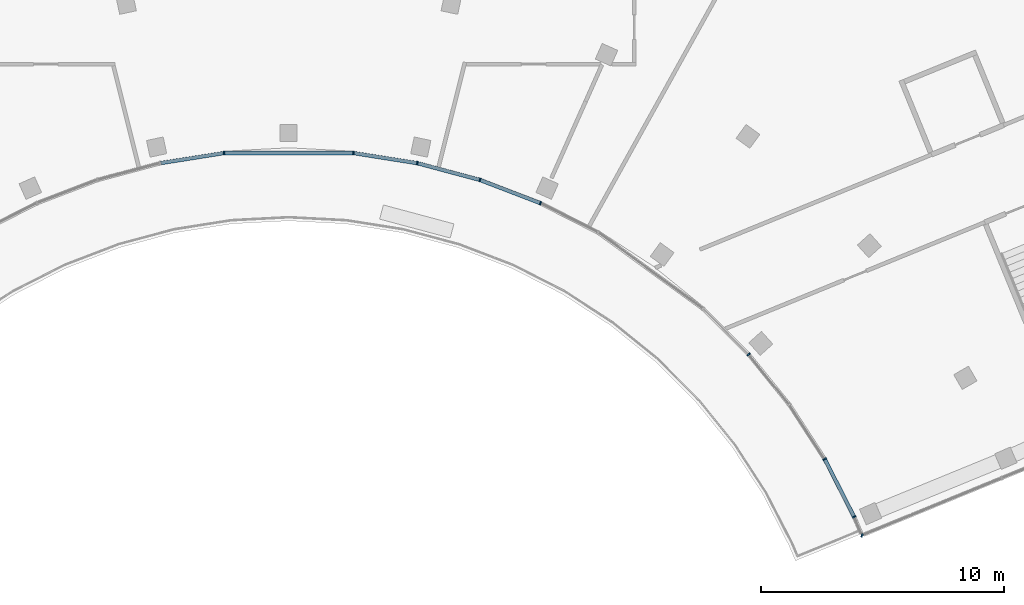
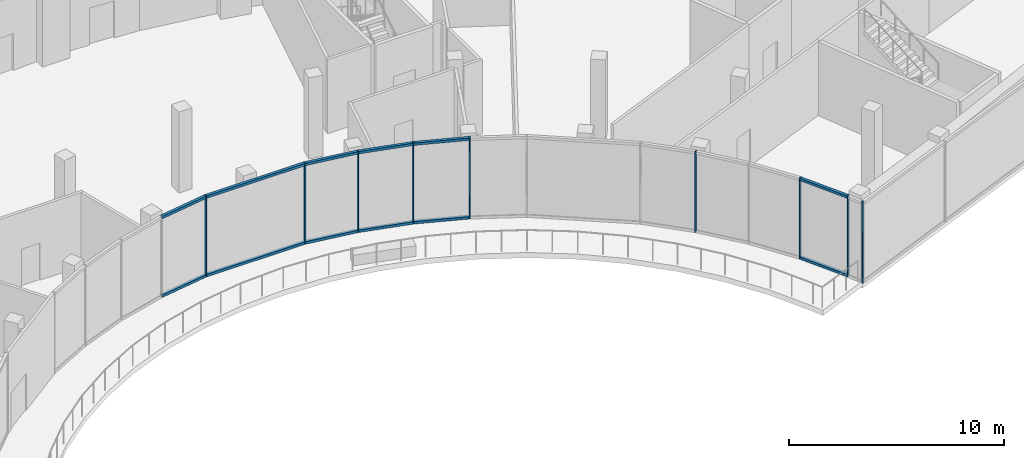
# One storey, part 8 of 39: 21 members, 2 elements without a shape of their own.
"""IFC4 building model written with IfcOpenShell, lengths in metres."""

from ifc_helpers import new_model, si_unit, direction, frame, origin, origin_2d, place, context, subcontext, project, spatial, rectangle, extrude, material, layer, layer_set, material_profile, profile_set, type_object, element, aggregate, save


model = new_model("IFC4")

# Units and contexts
model_context = context("Model", 3, precision=1e-05, world=origin(), true_north=direction((0.0, 1.0)))
body_context = subcontext(model_context, "Body", "Model", "MODEL_VIEW")
ifc_project = project(units=[si_unit("LENGTHUNIT", "METRE"), si_unit("AREAUNIT", "SQUARE_METRE"), si_unit("VOLUMEUNIT", "CUBIC_METRE"), si_unit("PLANEANGLEUNIT", "RADIAN"), si_unit("MASSUNIT", "GRAM", prefix="KILO")], contexts=[model_context])

# Site, building, storey
site_placement = place(None, origin())
site = spatial("IfcSite", under=ifc_project, at=site_placement, CompositionType="ELEMENT")
building_placement = place(site_placement, origin())
building = spatial("IfcBuilding", under=site, at=building_placement, Name="Stone Belt Terrace Tower", CompositionType="ELEMENT")
storey_placement = place(building_placement, frame((0.0, 0.0, 16.199951171875)))
storey = spatial("IfcBuildingStorey", under=building, at=storey_placement, Name="L03", CompositionType="ELEMENT", Elevation=16.199951171875)

# Curtain wall, members
ifc_material = material(Name="Aluminium 6063-T6 anodised frame", Category="aluminium")
ifc_layer = layer(ifc_material, 0.14990234375)
ifc_layer_set = layer_set([ifc_layer], Name="CW-D podium shopfront")
curtain_wall_type = type_object("IfcCurtainWallType", Name="CW-D podium shopfront", PredefinedType="NOTDEFINED", material=ifc_layer_set)
curtain_wall_1_placement = place(storey_placement, origin())
curtain_wall_1 = element("IfcCurtainWall", 1, at=curtain_wall_1_placement, inside=storey, type_object=curtain_wall_type, Name="CW-D concave face L03", PredefinedType="NOTDEFINED")
ifc_material_profile_1 = material_profile(ifc_material, rectangle(XDim=0.14990234375, YDim=0.06005859375, at=origin_2d()), Name="Aluminium 6063-T6 60x150")
ifc_profile_set_1 = profile_set([ifc_material_profile_1], Name="Aluminium 6063-T6 anodised frame")
member_type_1 = type_object("IfcMemberType", Name="CW-D mullion 60 x 150", PredefinedType="MULLION", material=ifc_profile_set_1)
member_1_placement = place(storey_placement, frame((-2.65966796875, 25.285400390625, 0.0), z_axis=(0.0, 0.0, 1.0), x_axis=(-0.078459095728, 0.996917333733, 0.0)))
member_1 = element("IfcMember", 2, at=member_1_placement, type_object=member_type_1, Name="CW-D mullion 11", PredefinedType="MULLION", context=body_context, shape_type="SweptSolid", body=[
    extrude(rectangle(XDim=0.14990234375, YDim=0.06005859375, at=origin_2d()), origin(), (0.0, 0.0, 1.0), 4.60009765625),
])
member_2_placement = place(storey_placement, frame((2.65966796875, 25.285400390625, 0.0), z_axis=(0.0, 0.0, 1.0), x_axis=(0.078459095728, 0.996917333733, 0.0)))
member_2 = element("IfcMember", 3, at=member_2_placement, type_object=member_type_1, Name="CW-D mullion 12", PredefinedType="MULLION", context=body_context, shape_type="SweptSolid", body=[
    extrude(rectangle(XDim=0.14990234375, YDim=0.06005859375, at=origin_2d()), origin(), (0.0, 0.0, 1.0), 4.60009765625),
])
member_3_placement = place(storey_placement, frame((5.2861328125, 24.869384765625, 0.0), z_axis=(0.0, 0.0, 1.0), x_axis=(0.207911690818, 0.978147600734, 0.0)))
member_3 = element("IfcMember", 4, at=member_3_placement, type_object=member_type_1, Name="CW-D mullion 13", PredefinedType="MULLION", context=body_context, shape_type="SweptSolid", body=[
    extrude(rectangle(XDim=0.14990234375, YDim=0.06005859375, at=origin_2d()), origin(), (0.0, 0.0, 1.0), 4.60009765625),
])
member_4_placement = place(storey_placement, frame((7.856689453125, 24.180419921875, 0.0), z_axis=(0.0, 0.0, 1.0), x_axis=(0.309016994375, 0.951056516295, 0.0)))
member_4 = element("IfcMember", 5, at=member_4_placement, type_object=member_type_1, Name="CW-D mullion 14", PredefinedType="MULLION", context=body_context, shape_type="SweptSolid", body=[
    extrude(rectangle(XDim=0.14990234375, YDim=0.06005859375, at=origin_2d()), origin(), (0.0, 0.0, 1.0), 4.60009765625),
])
member_5_placement = place(storey_placement, frame((10.34130859375, 23.226806640625, 0.0), z_axis=(0.0, 0.0, 1.0), x_axis=(0.406736643076, 0.913545457643, 0.0)))
member_5 = element("IfcMember", 6, at=member_5_placement, type_object=member_type_1, Name="CW-D mullion 15", PredefinedType="MULLION", context=body_context, shape_type="SweptSolid", body=[
    extrude(rectangle(XDim=0.14990234375, YDim=0.06005859375, at=origin_2d()), origin(), (0.0, 0.0, 1.0), 4.60009765625),
])
member_6_placement = place(storey_placement, frame((18.894287109375, 17.0126953125, 0.0), z_axis=(0.0, 0.0, 1.0), x_axis=(0.743144825477, 0.669130606359, 0.0)))
member_6 = element("IfcMember", 7, at=member_6_placement, type_object=member_type_1, Name="CW-D mullion 18", PredefinedType="MULLION", context=body_context, shape_type="SweptSolid", body=[
    extrude(rectangle(XDim=0.14990234375, YDim=0.06005859375, at=origin_2d()), origin(), (0.0, 0.0, 1.0), 4.60009765625),
])
member_7_placement = place(storey_placement, frame((22.0185546875, 12.71240234375, 0.0), z_axis=(0.0, 0.0, 1.0), x_axis=(0.866025403784, 0.5, 0.0)))
member_7 = element("IfcMember", 8, at=member_7_placement, type_object=member_type_1, Name="CW-D mullion 20", PredefinedType="MULLION", context=body_context, shape_type="SweptSolid", body=[
    extrude(rectangle(XDim=0.14990234375, YDim=0.06005859375, at=origin_2d()), origin(), (0.0, 0.0, 1.0), 4.60009765625),
])
member_8_placement = place(storey_placement, frame((23.2275390625, 10.340087890625, 0.0), z_axis=(0.0, 0.0, 1.0), x_axis=(0.905778201442, 0.423752108895, 0.0)))
member_8 = element("IfcMember", 9, at=member_8_placement, type_object=member_type_1, Name="CW-D mullion 21", PredefinedType="MULLION", context=body_context, shape_type="SweptSolid", body=[
    extrude(rectangle(XDim=0.14990234375, YDim=0.06005859375, at=origin_2d()), origin(), (0.0, 0.0, 1.0), 4.60009765625),
])

# Curtain wall, member
curtain_wall_2_placement = place(storey_placement, origin())
curtain_wall_2 = element("IfcCurtainWall", 10, at=curtain_wall_2_placement, inside=storey, type_object=curtain_wall_type, Name="CW-D end face L03", PredefinedType="NOTDEFINED")
member_9_placement = place(storey_placement, frame((23.55517578125, 9.5732421875, 0.0), z_axis=(0.0, 0.0, 1.0), x_axis=(0.379212239192, 0.925309719849, 0.0)))
member_9 = element("IfcMember", 11, at=member_9_placement, type_object=member_type_1, Name="CW-D mullion 1", PredefinedType="MULLION", context=body_context, shape_type="SweptSolid", body=[
    extrude(rectangle(XDim=0.14990234375, YDim=0.06005859375, at=origin_2d()), origin(), (0.0, 0.0, 1.0), 4.60009765625),
])
aggregate(curtain_wall_2, [member_9])

# Member
ifc_material_profile_2 = material_profile(ifc_material, rectangle(XDim=0.14990234375, YDim=0.139892578125, at=origin_2d()), Name="Aluminium 6063-T6 150x140")
ifc_profile_set_2 = profile_set([ifc_material_profile_2], Name="Aluminium 6063-T6 anodised frame")
member_type_2 = type_object("IfcMemberType", Name="CW-D transom 140 x 150", PredefinedType="USERDEFINED", material=ifc_profile_set_2)
member_10_placement = place(storey_placement, frame((-5.252685546875, 24.87451171875, 0.070068359375), z_axis=(0.98767950902, 0.156490215231, 0.0), x_axis=(-0.156490215231, 0.98767950902, 0.0)))
member_10 = element("IfcMember", 12, at=member_10_placement, type_object=member_type_2, Name="CW-D transom 10.1", ObjectType="TRANSOM", PredefinedType="USERDEFINED", context=body_context, shape_type="SweptSolid", body=[
    extrude(rectangle(XDim=0.14990234375, YDim=0.139892578125, at=origin_2d()), origin(), (0.0, 0.0, 1.0), 2.58984375),
])

member_11_placement = place(storey_placement, frame((-5.252685546875, 24.87451171875, 4.530029296875), z_axis=(0.98767950902, 0.156490215231, 0.0), x_axis=(-0.156490215231, 0.98767950902, 0.0)))
member_11 = element("IfcMember", 13, at=member_11_placement, type_object=member_type_2, Name="CW-D transom 10.2", ObjectType="TRANSOM", PredefinedType="USERDEFINED", context=body_context, shape_type="SweptSolid", body=[
    extrude(rectangle(XDim=0.14990234375, YDim=0.139892578125, at=origin_2d()), origin(), (0.0, 0.0, 1.0), 2.58984375),
])

member_12_placement = place(storey_placement, frame((-2.623779296875, 25.285400390625, 0.070068359375), z_axis=(1.0, 0.0, 0.0), x_axis=(0.0, 1.0, 0.0)))
member_12 = element("IfcMember", 14, at=member_12_placement, type_object=member_type_2, Name="CW-D transom 11.1", ObjectType="TRANSOM", PredefinedType="USERDEFINED", context=body_context, shape_type="SweptSolid", body=[
    extrude(rectangle(XDim=0.14990234375, YDim=0.139892578125, at=origin_2d()), origin(), (0.0, 0.0, 1.0), 5.24755859375),
])

member_13_placement = place(storey_placement, frame((-2.623779296875, 25.285400390625, 4.530029296875), z_axis=(1.0, 0.0, 0.0), x_axis=(0.0, 1.0, 0.0)))
member_13 = element("IfcMember", 15, at=member_13_placement, type_object=member_type_2, Name="CW-D transom 11.2", ObjectType="TRANSOM", PredefinedType="USERDEFINED", context=body_context, shape_type="SweptSolid", body=[
    extrude(rectangle(XDim=0.14990234375, YDim=0.139892578125, at=origin_2d()), origin(), (0.0, 0.0, 1.0), 5.24755859375),
])

member_14_placement = place(storey_placement, frame((2.69482421875, 25.27978515625, 0.070068359375), z_axis=(0.98767950902, -0.156490215231, 0.0), x_axis=(0.156490215231, 0.98767950902, 0.0)))
member_14 = element("IfcMember", 16, at=member_14_placement, type_object=member_type_2, Name="CW-D transom 12.1", ObjectType="TRANSOM", PredefinedType="USERDEFINED", context=body_context, shape_type="SweptSolid", body=[
    extrude(rectangle(XDim=0.14990234375, YDim=0.139892578125, at=origin_2d()), origin(), (0.0, 0.0, 1.0), 2.58984375),
])

member_15_placement = place(storey_placement, frame((2.69482421875, 25.27978515625, 4.530029296875), z_axis=(0.98767950902, -0.156490215231, 0.0), x_axis=(0.156490215231, 0.98767950902, 0.0)))
member_15 = element("IfcMember", 17, at=member_15_placement, type_object=member_type_2, Name="CW-D transom 12.2", ObjectType="TRANSOM", PredefinedType="USERDEFINED", context=body_context, shape_type="SweptSolid", body=[
    extrude(rectangle(XDim=0.14990234375, YDim=0.139892578125, at=origin_2d()), origin(), (0.0, 0.0, 1.0), 2.58984375),
])

member_16_placement = place(storey_placement, frame((5.31884765625, 24.860595703125, 0.070068359375), z_axis=(0.965912332316, -0.258869400046, 0.0), x_axis=(0.258869400046, 0.965912332316, 0.0)))
member_16 = element("IfcMember", 18, at=member_16_placement, type_object=member_type_2, Name="CW-D transom 13.1", ObjectType="TRANSOM", PredefinedType="USERDEFINED", context=body_context, shape_type="SweptSolid", body=[
    extrude(rectangle(XDim=0.14990234375, YDim=0.139892578125, at=origin_2d()), origin(), (0.0, 0.0, 1.0), 2.593505859375),
])

member_17_placement = place(storey_placement, frame((5.31884765625, 24.860595703125, 4.530029296875), z_axis=(0.965912332316, -0.258869400046, 0.0), x_axis=(0.258869400046, 0.965912332316, 0.0)))
member_17 = element("IfcMember", 19, at=member_17_placement, type_object=member_type_2, Name="CW-D transom 13.2", ObjectType="TRANSOM", PredefinedType="USERDEFINED", context=body_context, shape_type="SweptSolid", body=[
    extrude(rectangle(XDim=0.14990234375, YDim=0.139892578125, at=origin_2d()), origin(), (0.0, 0.0, 1.0), 2.593505859375),
])

member_18_placement = place(storey_placement, frame((7.888427734375, 24.16845703125, 0.070068359375), z_axis=(0.933573485821, -0.358386030102, 0.0), x_axis=(0.358386030102, 0.933573485821, 0.0)))
member_18 = element("IfcMember", 20, at=member_18_placement, type_object=member_type_2, Name="CW-D transom 14.1", ObjectType="TRANSOM", PredefinedType="USERDEFINED", context=body_context, shape_type="SweptSolid", body=[
    extrude(rectangle(XDim=0.14990234375, YDim=0.139892578125, at=origin_2d()), origin(), (0.0, 0.0, 1.0), 2.593505859375),
])

member_19_placement = place(storey_placement, frame((7.888427734375, 24.16845703125, 4.530029296875), z_axis=(0.933573485821, -0.358386030102, 0.0), x_axis=(0.358386030102, 0.933573485821, 0.0)))
member_19 = element("IfcMember", 21, at=member_19_placement, type_object=member_type_2, Name="CW-D transom 14.2", ObjectType="TRANSOM", PredefinedType="USERDEFINED", context=body_context, shape_type="SweptSolid", body=[
    extrude(rectangle(XDim=0.14990234375, YDim=0.139892578125, at=origin_2d()), origin(), (0.0, 0.0, 1.0), 2.593505859375),
])

member_20_placement = place(storey_placement, frame((22.033935546875, 12.682373046875, 0.070068359375), z_axis=(0.453970855111, -0.891016533354, 0.0), x_axis=(0.891016533354, 0.453970855111, 0.0)))
member_20 = element("IfcMember", 22, at=member_20_placement, type_object=member_type_2, Name="CW-D transom 20.1", ObjectType="TRANSOM", PredefinedType="USERDEFINED", context=body_context, shape_type="SweptSolid", body=[
    extrude(rectangle(XDim=0.14990234375, YDim=0.139892578125, at=origin_2d()), origin(), (0.0, 0.0, 1.0), 2.596435546875),
])

member_21_placement = place(storey_placement, frame((22.033935546875, 12.682373046875, 4.530029296875), z_axis=(0.453970855111, -0.891016533354, 0.0), x_axis=(0.891016533354, 0.453970855111, 0.0)))
member_21 = element("IfcMember", 23, at=member_21_placement, type_object=member_type_2, Name="CW-D transom 20.2", ObjectType="TRANSOM", PredefinedType="USERDEFINED", context=body_context, shape_type="SweptSolid", body=[
    extrude(rectangle(XDim=0.14990234375, YDim=0.139892578125, at=origin_2d()), origin(), (0.0, 0.0, 1.0), 2.596435546875),
])

aggregate(curtain_wall_1, [member_1, member_2, member_3, member_4, member_5, member_6, member_7, member_8, member_10, member_11, member_12, member_13, member_14, member_15, member_16, member_17, member_18, member_19, member_20, member_21])

save(model, "model.ifc")
